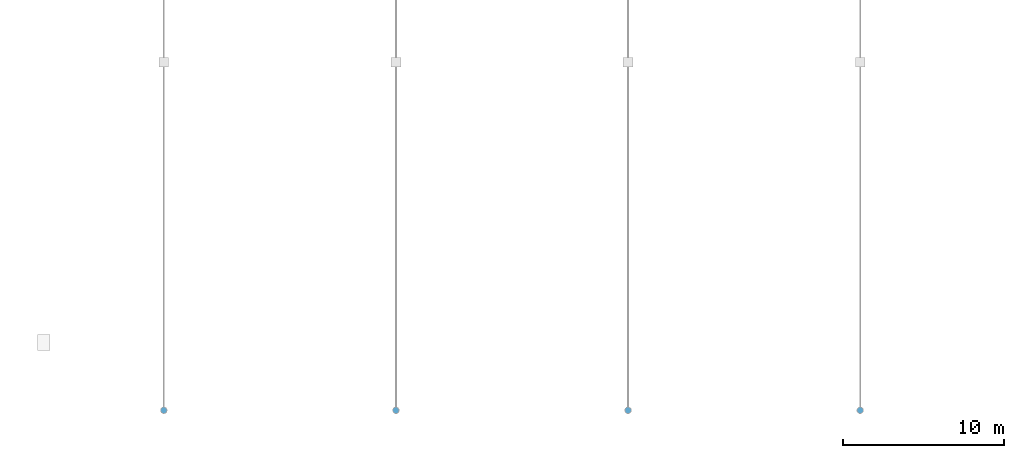
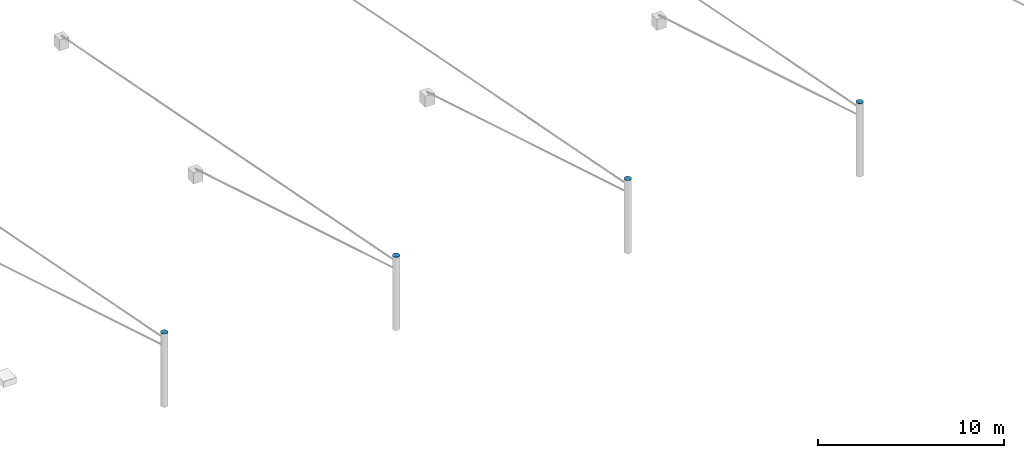
# One storey, part 55 of 68: 4 discrete accessories.
"""IFC4 building model written with IfcOpenShell, lengths in metres."""

import ifcopenshell
import ifcopenshell.guid

model = None  # the IFC model being written
_history = None  # IfcOwnerHistory: only IFC2X3 demands one
_inside = {}  # id of a spatial element -> (the spatial element, [elements in it])
_under = {}  # id of a project, library or spatial element -> (it, [spatial elements below it])
_declared = {}  # id of a project -> (the project, [libraries it declares])
_typed = {}  # id of a type object -> (the type object, [elements of that type])
_made_of = {}  # id of a material, layer set ... -> (it, [elements and type objects made of it])


def new_model(schema):
    """Start an empty IFC model of exactly this schema.

    Asked for "IFC4X3", IfcOpenShell would pick the latest addendum, in which some entities
    have other attributes; the version numbers below select the first issue.
    IFC2X3 requires an IfcOwnerHistory on every rooted entity: one is made here for all.
    """
    global model, _history
    if schema == "IFC4X3":
        model = ifcopenshell.file(schema_version=(4, 3, 0, 0))
    else:
        model = ifcopenshell.file(schema=schema)
    _inside.clear()
    _under.clear()
    _declared.clear()
    _typed.clear()
    _made_of.clear()
    _history = None
    if model.schema == "IFC2X3":
        org = make("IfcOrganization", Name="unknown")
        user = make(
            "IfcPersonAndOrganization",
            ThePerson=make("IfcPerson", FamilyName="unknown"),
            TheOrganization=org,
        )
        app = make(
            "IfcApplication",
            ApplicationDeveloper=org,
            Version="unknown",
            ApplicationFullName="unknown",
            ApplicationIdentifier="unknown",
        )
        _history = make(
            "IfcOwnerHistory",
            OwningUser=user,
            OwningApplication=app,
            ChangeAction="ADDED",
            CreationDate=0,
        )
    return model


def make(cls, **values):
    """One entity of the class cls with the attributes given. An attribute that is None is left unset."""
    return model.create_entity(
        cls, **{name: value for name, value in values.items() if value is not None}
    )


def rooted(cls, **values):
    """An entity with a GlobalId (a new one), such as an element, a storey or a relation."""
    return make(cls, GlobalId=ifcopenshell.guid.new(), OwnerHistory=_history, **values)


def si_unit(unit_type, name, prefix=None):
    """IfcSIUnit, for example si_unit("LENGTHUNIT", "METRE", prefix="MILLI")."""
    return make("IfcSIUnit", UnitType=unit_type, Prefix=prefix, Name=name)


def assignment(units):
    """IfcUnitAssignment: the units of a project."""
    return None if units is None else make("IfcUnitAssignment", Units=units)


def point(xyz):
    """IfcCartesianPoint."""
    return None if xyz is None else make("IfcCartesianPoint", Coordinates=xyz)


def direction(xyz):
    """IfcDirection."""
    return None if xyz is None else make("IfcDirection", DirectionRatios=xyz)


def frame(location, z_axis=None, x_axis=None):
    """IfcAxis2Placement3D, a coordinate frame: its origin and axes. An axis left out is left unset."""
    return make(
        "IfcAxis2Placement3D",
        Location=point(location),
        Axis=direction(z_axis),
        RefDirection=direction(x_axis),
    )


def frame_2d(location, x_axis=None):
    """IfcAxis2Placement2D, a coordinate frame in the plane: its origin and x axis."""
    return make(
        "IfcAxis2Placement2D", Location=point(location), RefDirection=direction(x_axis)
    )


def origin():
    """The frame at (0, 0, 0) with its axes left unset."""
    return frame((0.0, 0.0, 0.0))


def origin_2d():
    """The frame at (0, 0) in the plane with its x axis left unset."""
    return frame_2d((0.0, 0.0))


def place(relative_to, where):
    """IfcLocalPlacement: puts the frame where relative to a parent placement (None: the world)."""
    return make(
        "IfcLocalPlacement", PlacementRelTo=relative_to, RelativePlacement=where
    )


def context(
    kind, dimensions, precision=None, world=None, true_north=None, identifier=None
):
    """IfcGeometricRepresentationContext, for example the 3D "Model" context."""
    return make(
        "IfcGeometricRepresentationContext",
        ContextIdentifier=identifier,
        ContextType=kind,
        CoordinateSpaceDimension=dimensions,
        Precision=precision,
        WorldCoordinateSystem=world,
        TrueNorth=true_north,
    )


def subcontext(parent, identifier, kind, view, scale=None):
    """IfcGeometricRepresentationSubContext, for example "Body" below "Model"."""
    return make(
        "IfcGeometricRepresentationSubContext",
        ContextIdentifier=identifier,
        ContextType=kind,
        ParentContext=parent,
        TargetScale=scale,
        TargetView=view,
    )


def project(units=None, contexts=None):
    """IfcProject with its units and contexts."""
    return rooted(
        "IfcProject",
        Name="project",
        RepresentationContexts=contexts,
        UnitsInContext=assignment(units),
    )


def spatial(cls, under=None, at=None, **own):
    """A site, building, storey or space (cls), placed at a placement, below another one or the project."""
    s = rooted(cls, ObjectPlacement=at, **own)
    if under is not None:
        _under.setdefault(under.id(), (under, []))[1].append(s)
    return s


def profile(cls, at=None, kind="AREA", **sizes):
    """A parametric profile (cls). Its sizes go by their IFC names, for example OverallWidth=200.0."""
    return make(cls, ProfileType=kind, Position=at, **sizes)


def circle(**sizes):
    """IfcCircleProfileDef."""
    return profile("IfcCircleProfileDef", **sizes)


def extrude(swept, where, along, depth):
    """IfcExtrudedAreaSolid: the profile swept, set in the frame where, extruded along a direction by depth."""
    return make(
        "IfcExtrudedAreaSolid",
        SweptArea=swept,
        Position=where,
        ExtrudedDirection=direction(along),
        Depth=depth,
    )


def shape(context_of_items, identifier, shape_type, items):
    """IfcShapeRepresentation: the items that make up one representation, for example the "Body"."""
    return make(
        "IfcShapeRepresentation",
        ContextOfItems=context_of_items,
        RepresentationIdentifier=identifier,
        RepresentationType=shape_type,
        Items=items,
    )


def material(Name=None, Category=None):
    """IfcMaterial."""
    return make("IfcMaterial", Name=Name, Category=Category)


def layer(
    of_material, thickness, ventilated=None, Name=None, Category=None, Priority=None
):
    """IfcMaterialLayer: one layer of a wall or slab, of a material (None: an air gap)."""
    return make(
        "IfcMaterialLayer",
        Material=of_material,
        LayerThickness=thickness,
        IsVentilated=ventilated,
        Name=Name,
        Category=Category,
        Priority=Priority,
    )


def layer_set(layers, Name=None):
    """IfcMaterialLayerSet."""
    return make("IfcMaterialLayerSet", MaterialLayers=layers, LayerSetName=Name)


def made_of(thing, what):
    """Note that an element or type object is made of a material, layer set ...; save() writes the relation."""
    if what is not None:
        _made_of.setdefault(what.id(), (what, []))[1].append(thing)
    return thing


def type_object(cls, material=None, **own):
    """A type object (cls), such as IfcWallType, which elements share."""
    return made_of(rooted(cls, **own), material)


def element(
    cls,
    number,
    at=None,
    inside=None,
    cuts=None,
    type_object=None,
    material=None,
    context=None,
    identifier="Body",
    shape_type=None,
    held_by="IfcProductDefinitionShape",
    body=None,
    shapes=None,
    **own,
):
    """One element of the class cls, such as IfcWall. Its Tag is "e" and its number.

    at: its placement. inside: the storey or other place that contains it. cuts: it is an
    opening in that element (IfcRelVoidsElement). A single representation is given by context,
    identifier, shape_type and body (its items); several are given by shapes. held_by: the class
    of the entity that holds the representations. save() writes the other relations.
    """
    e = rooted(cls, Tag="e%d" % number, ObjectPlacement=at, **own)
    if body is not None:
        shapes = [shape(context, identifier, shape_type, body)]
    if shapes is not None:
        e.Representation = make(held_by, Representations=shapes)
    if inside is not None:
        _inside.setdefault(inside.id(), (inside, []))[1].append(e)
    if cuts is not None:
        rooted(
            "IfcRelVoidsElement", RelatingBuildingElement=cuts, RelatedOpeningElement=e
        )
    if type_object is not None:
        _typed.setdefault(type_object.id(), (type_object, []))[1].append(e)
    return made_of(e, material)


def aggregate(whole, parts):
    """IfcRelAggregates: a whole, such as a stair, and the parts it consists of."""
    return rooted("IfcRelAggregates", RelatingObject=whole, RelatedObjects=parts)


def save(model, path):
    """Write the relations noted so far, then the file.

    IfcRelAggregates (storeys below a building ...), IfcRelContainedInSpatialStructure (elements
    in a storey), IfcRelDefinesByType, IfcRelAssociatesMaterial and IfcRelDeclares: one each for
    every whole, place, type object, material and project.
    """
    for whole, parts in _under.values():
        aggregate(whole, parts)
    for where, things in _inside.values():
        rooted(
            "IfcRelContainedInSpatialStructure",
            RelatedElements=things,
            RelatingStructure=where,
        )
    for kind, things in _typed.values():
        rooted("IfcRelDefinesByType", RelatedObjects=things, RelatingType=kind)
    for what, things in _made_of.values():
        rooted("IfcRelAssociatesMaterial", RelatedObjects=things, RelatingMaterial=what)
    for by, libraries in _declared.values():
        rooted("IfcRelDeclares", RelatingContext=by, RelatedDefinitions=libraries)
    model.write(path)


model = new_model("IFC4")

# Units and contexts
model_context = context("Model", 3, precision=1e-05, world=origin(), true_north=direction((0.0, 1.0)))
body_context = subcontext(model_context, "Body", "Model", "MODEL_VIEW")
ifc_project = project(units=[si_unit("LENGTHUNIT", "METRE"), si_unit("AREAUNIT", "SQUARE_METRE"), si_unit("VOLUMEUNIT", "CUBIC_METRE"), si_unit("PLANEANGLEUNIT", "RADIAN"), si_unit("MASSUNIT", "GRAM", prefix="KILO")], contexts=[model_context])

# Site, building, storey
site_placement = place(None, origin())
site = spatial("IfcSite", under=ifc_project, at=site_placement, CompositionType="ELEMENT")
building_placement = place(site_placement, origin())
building = spatial("IfcBuilding", under=site, at=building_placement, Name="Kupolbacken Congress Centre", CompositionType="ELEMENT")
storey_placement = place(building_placement, frame((0.0, 0.0, 25.199951171875)))
storey = spatial("IfcBuildingStorey", under=building, at=storey_placement, Name="L07", CompositionType="ELEMENT", Elevation=25.199951171875)

# Discrete accessories
ifc_material = material(Name="Steel S355", Category="steel")
ifc_layer = layer(ifc_material, 0.02001953125)
ifc_layer_set = layer_set([ifc_layer], Name="Steel S355")
discrete_accessory_type = type_object("IfcDiscreteAccessoryType", Name="EC1 mast head cap plate 406 dia x 20", PredefinedType="BRACKET", material=ifc_layer_set)
for number, where, z_axis, x_axis, name in (
    (1, (93.60009765625, 39.60009765625, 4.800048828125), (0.0, 0.0, 1.0), (1.0, 0.0, 0.0), "End cap plate Roof mast M1S"),
    (2, (108.0, 39.60009765625, 4.800048828125), (0.0, 0.0, 1.0), (1.0, 0.0, 0.0), "End cap plate Roof mast M2S"),
    (3, (122.39990234375, 39.60009765625, 4.800048828125), (0.0, 0.0, 1.0), (1.0, 0.0, 0.0), "End cap plate Roof mast M3S"),
    (4, (136.800048828125, 39.60009765625, 4.800048828125), (0.0, 0.0, 1.0), (1.0, 0.0, 0.0), "End cap plate Roof mast M4S"),
):
    element("IfcDiscreteAccessory", number, at=place(storey_placement, frame(where, z_axis=z_axis, x_axis=x_axis)), inside=storey, type_object=discrete_accessory_type, Name=name, PredefinedType="BRACKET", context=body_context, shape_type="SweptSolid", body=[
        extrude(circle(Radius=0.203125, at=origin_2d()), origin(), (0.0, 0.0, 1.0), 0.02001953125),
    ])

save(model, "model.ifc")
